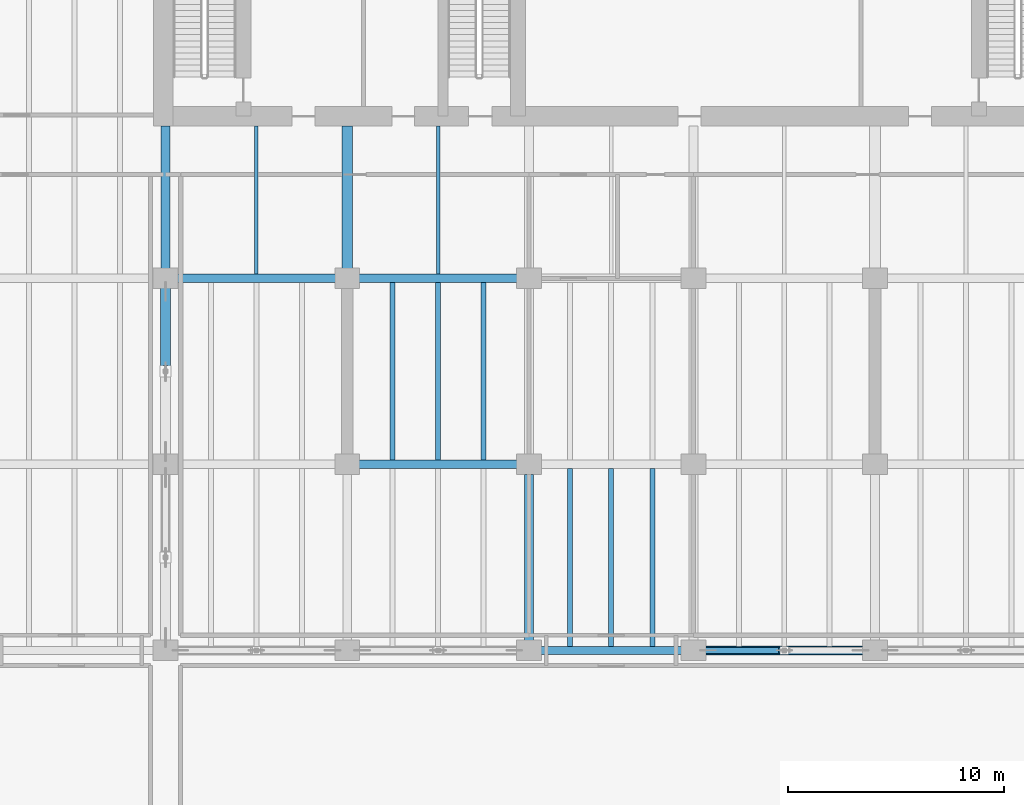
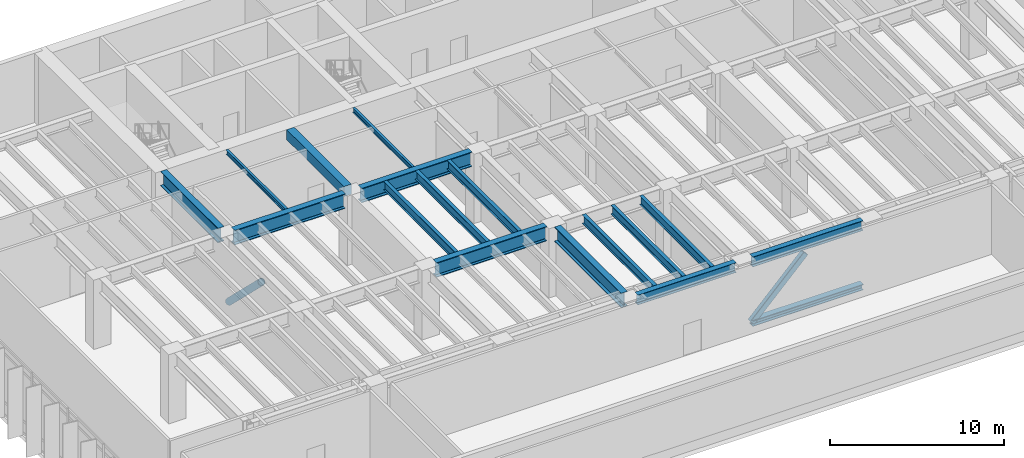
# One storey, part 5 of 21: 17 beams, 2 members.
"""IFC4 building model written with IfcOpenShell, lengths in metres."""

from ifc_helpers import new_model, si_unit, direction, frame, origin, origin_2d, place, context, subcontext, project, spatial, rectangle, hollow_rectangle, hollow_circle, i_section, extrude, material, material_profile, profile_set, type_object, element, save


model = new_model("IFC4")

# Units and contexts
model_context = context("Model", 3, precision=1e-05, world=origin(), true_north=direction((0.0, 1.0)))
body_context = subcontext(model_context, "Body", "Model", "MODEL_VIEW")
ifc_project = project(units=[si_unit("LENGTHUNIT", "METRE"), si_unit("AREAUNIT", "SQUARE_METRE"), si_unit("VOLUMEUNIT", "CUBIC_METRE"), si_unit("PLANEANGLEUNIT", "RADIAN"), si_unit("MASSUNIT", "GRAM", prefix="KILO")], contexts=[model_context])

# Site, building, storey
site_placement = place(None, origin())
site = spatial("IfcSite", under=ifc_project, at=site_placement, CompositionType="ELEMENT")
building_placement = place(site_placement, origin())
building = spatial("IfcBuilding", under=site, at=building_placement, Name="Caelmar Bay Residences", CompositionType="ELEMENT")
storey_placement = place(building_placement, frame((0.0, 0.0, 79.5)))
storey = spatial("IfcBuildingStorey", under=building, at=storey_placement, Name="L21", CompositionType="ELEMENT", Elevation=79.5)

# Beams
ifc_material_1 = material(Name="Steel ASTM A992 Grade 50", Category="steel")
ifc_material_profile_1 = material_profile(ifc_material_1, i_section(OverallWidth=0.40087890625, OverallDepth=0.39892578125, WebThickness=0.02490234375, FlangeThickness=0.03955078125, FilletRadius=0.01513671875, at=origin_2d()), Name="W14X211")
ifc_profile_set_1 = profile_set([ifc_material_profile_1], Name="Steel ASTM A992 Grade 50")
beam_type_1 = type_object("IfcBeamType", Name="BM-CHD-W14X211", PredefinedType="BEAM", material=ifc_profile_set_1)
beam_1_placement = place(storey_placement, frame((43.239990234375, 12.199951171875, 0.199462890625), z_axis=(1.0, 0.0, 0.0), x_axis=(0.0, 1.0, 0.0)))
element("IfcBeam", 1, at=beam_1_placement, inside=storey, type_object=beam_type_1, Name="L21 Belt-Truss Bottom Chord 3", PredefinedType="BEAM", context=body_context, shape_type="SweptSolid", body=[
    extrude(i_section(OverallWidth=0.40087890625, OverallDepth=0.39892578125, WebThickness=0.02490234375, FlangeThickness=0.03955078125, FilletRadius=0.01513671875, at=origin_2d()), origin(), (0.0, 0.0, 1.0), 7.320068359375),
])
ifc_material_profile_2 = material_profile(ifc_material_1, i_section(OverallWidth=0.404052734375, OverallDepth=1.02099609375, WebThickness=0.025390625, FlangeThickness=0.0458984375, FilletRadius=0.02294921875, at=origin_2d()), Name="W40X324")
ifc_profile_set_2 = profile_set([ifc_material_profile_2], Name="Steel ASTM A992 Grade 50")
beam_type_2 = type_object("IfcBeamType", Name="BM-GRD-W40X324", PredefinedType="BEAM", material=ifc_profile_set_2)
beam_2_placement = place(storey_placement, frame((27.239990234375, 20.800048828125, 4.339599609375), z_axis=(1.0, 0.0, 0.0), x_axis=(0.0, 1.0, 0.0)))
element("IfcBeam", 2, at=beam_2_placement, inside=storey, type_object=beam_type_2, Name="L21 East-West Girder Y=20.80 (26.7-35.1)", PredefinedType="BEAM", context=body_context, shape_type="SweptSolid", body=[
    extrude(i_section(OverallWidth=0.404052734375, OverallDepth=1.02099609375, WebThickness=0.025390625, FlangeThickness=0.0458984375, FilletRadius=0.02294921875, at=origin_2d()), origin(), (0.0, 0.0, 1.0), 7.320068359375),
])
beam_3_placement = place(storey_placement, frame((18.840087890625, 29.39990234375, 4.339599609375), z_axis=(1.0, 0.0, 0.0), x_axis=(0.0, 1.0, 0.0)))
element("IfcBeam", 3, at=beam_3_placement, inside=storey, type_object=beam_type_2, Name="L21 East-West Girder Y=29.40 (18.3-26.7)", PredefinedType="BEAM", context=body_context, shape_type="SweptSolid", body=[
    extrude(i_section(OverallWidth=0.404052734375, OverallDepth=1.02099609375, WebThickness=0.025390625, FlangeThickness=0.0458984375, FilletRadius=0.02294921875, at=origin_2d()), origin(), (0.0, 0.0, 1.0), 7.31982421875),
])
beam_4_placement = place(storey_placement, frame((27.239990234375, 29.39990234375, 4.339599609375), z_axis=(1.0, 0.0, 0.0), x_axis=(0.0, 1.0, 0.0)))
element("IfcBeam", 4, at=beam_4_placement, inside=storey, type_object=beam_type_2, Name="L21 East-West Girder Y=29.40 (26.7-35.1)", PredefinedType="BEAM", context=body_context, shape_type="SweptSolid", body=[
    extrude(i_section(OverallWidth=0.404052734375, OverallDepth=1.02099609375, WebThickness=0.025390625, FlangeThickness=0.0458984375, FilletRadius=0.02294921875, at=origin_2d()), origin(), (0.0, 0.0, 1.0), 7.320068359375),
])
beam_5_placement = place(storey_placement, frame((18.300048828125, 29.864990234375, 4.339599609375), z_axis=(0.0, 1.0, 0.0), x_axis=(-1.0, 0.0, 0.0)))
element("IfcBeam", 5, at=beam_5_placement, inside=storey, type_object=beam_type_2, Name="L21 Core Tie Girder X=18.30", PredefinedType="BEAM", context=body_context, shape_type="SweptSolid", body=[
    extrude(i_section(OverallWidth=0.404052734375, OverallDepth=1.02099609375, WebThickness=0.025390625, FlangeThickness=0.0458984375, FilletRadius=0.02294921875, at=origin_2d()), origin(), (0.0, 0.0, 1.0), 6.5849609375),
])
beam_6_placement = place(storey_placement, frame((35.10009765625, 12.6650390625, 4.339599609375), z_axis=(0.0, 1.0, 0.0), x_axis=(-1.0, 0.0, 0.0)))
element("IfcBeam", 6, at=beam_6_placement, inside=storey, type_object=beam_type_2, Name="L21 North-South Girder X=35.10 (12.2-20.8)", PredefinedType="BEAM", context=body_context, shape_type="SweptSolid", body=[
    extrude(i_section(OverallWidth=0.404052734375, OverallDepth=1.02099609375, WebThickness=0.025390625, FlangeThickness=0.0458984375, FilletRadius=0.02294921875, at=origin_2d()), origin(), (0.0, 0.0, 1.0), 7.669921875),
])
ifc_material_profile_3 = material_profile(ifc_material_1, i_section(OverallWidth=0.1650390625, OverallDepth=0.31005859375, WebThickness=0.005859375, FlangeThickness=0.009765625, FilletRadius=0.007568359375, at=origin_2d()), Name="W12X26")
ifc_profile_set_3 = profile_set([ifc_material_profile_3], Name="Steel ASTM A992 Grade 50")
beam_type_3 = type_object("IfcBeamType", Name="BM-JST-W12X26", PredefinedType="JOIST", material=ifc_profile_set_3)
for number, where, z_axis, x_axis, name in (
    (7, (22.5, 29.60205078125, 4.695068359375), (0.0, 1.0, 0.0), (-1.0, 0.0, 0.0), "L21 Core-Band Composite Joist 43"),
    (8, (30.89990234375, 29.60205078125, 4.695068359375), (0.0, 1.0, 0.0), (-1.0, 0.0, 0.0), "L21 Core-Band Composite Joist 44"),
):
    element("IfcBeam", number, at=place(storey_placement, frame(where, z_axis=z_axis, x_axis=x_axis)), inside=storey, type_object=beam_type_3, Name=name, PredefinedType="JOIST", context=body_context, shape_type="SweptSolid", body=[
        extrude(i_section(OverallWidth=0.1650390625, OverallDepth=0.31005859375, WebThickness=0.005859375, FlangeThickness=0.009765625, FilletRadius=0.007568359375, at=origin_2d()), origin(), (0.0, 0.0, 1.0), 6.847900390625),
    ])
ifc_material_profile_4 = material_profile(ifc_material_1, i_section(OverallWidth=0.22900390625, OverallDepth=0.612060546875, WebThickness=0.011962890625, FlangeThickness=0.01953125, FilletRadius=0.0126953125, at=origin_2d()), Name="W24X84")
ifc_profile_set_4 = profile_set([ifc_material_profile_4], Name="Steel ASTM A992 Grade 50")
beam_type_4 = type_object("IfcBeamType", Name="BM-JST-W24X84", PredefinedType="JOIST", material=ifc_profile_set_4)
for number, where, z_axis, x_axis, name in (
    (9, (37.0, 12.3779296875, 4.5439453125), (0.0, 1.0, 0.0), (-1.0, 0.0, 0.0), "L21 Composite Floor Joist 10"),
    (10, (38.89990234375, 12.3779296875, 4.5439453125), (0.0, 1.0, 0.0), (-1.0, 0.0, 0.0), "L21 Composite Floor Joist 11"),
    (11, (40.800048828125, 12.3779296875, 4.5439453125), (0.0, 1.0, 0.0), (-1.0, 0.0, 0.0), "L21 Composite Floor Joist 12"),
):
    element("IfcBeam", number, at=place(storey_placement, frame(where, z_axis=z_axis, x_axis=x_axis)), inside=storey, type_object=beam_type_4, Name=name, PredefinedType="JOIST", context=body_context, shape_type="SweptSolid", body=[
        extrude(i_section(OverallWidth=0.22900390625, OverallDepth=0.612060546875, WebThickness=0.011962890625, FlangeThickness=0.01953125, FilletRadius=0.0126953125, at=origin_2d()), origin(), (0.0, 0.0, 1.0), 8.219970703125),
    ])
for number, where, z_axis, x_axis, name in (
    (12, (28.800048828125, 21.001953125, 4.5439453125), (0.0, 1.0, 0.0), (-1.0, 0.0, 0.0), "L21 Composite Floor Joist 28"),
    (13, (30.89990234375, 21.001953125, 4.5439453125), (0.0, 1.0, 0.0), (-1.0, 0.0, 0.0), "L21 Composite Floor Joist 29"),
    (14, (33.0, 21.001953125, 4.5439453125), (0.0, 1.0, 0.0), (-1.0, 0.0, 0.0), "L21 Composite Floor Joist 30"),
):
    element("IfcBeam", number, at=place(storey_placement, frame(where, z_axis=z_axis, x_axis=x_axis)), inside=storey, type_object=beam_type_4, Name=name, PredefinedType="JOIST", context=body_context, shape_type="SweptSolid", body=[
        extrude(i_section(OverallWidth=0.22900390625, OverallDepth=0.612060546875, WebThickness=0.011962890625, FlangeThickness=0.01953125, FilletRadius=0.0126953125, at=origin_2d()), origin(), (0.0, 0.0, 1.0), 8.196044921875),
    ])
ifc_material_2 = material(Name="Concrete f'c 55 MPa (8,000 psi)", Category="concrete")
ifc_material_profile_5 = material_profile(ifc_material_2, rectangle(XDim=0.5, YDim=0.699951171875, at=origin_2d()), Name="RC-BM-500X700")
ifc_profile_set_5 = profile_set([ifc_material_profile_5], Name="Concrete f'c 55 MPa (8,000 psi)")
beam_type_5 = type_object("IfcBeamType", Name="BM-RC-500X700", PredefinedType="LINTEL", material=ifc_profile_set_5)
beam_7_placement = place(storey_placement, frame((26.699951171875, 29.864990234375, 4.5), z_axis=(0.0, 1.0, 0.0), x_axis=(-1.0, 0.0, 0.0)))
element("IfcBeam", 15, at=beam_7_placement, inside=storey, type_object=beam_type_5, Name="L21 Shear-Wall Corridor Coupling Lintel W5", PredefinedType="LINTEL", context=body_context, shape_type="SweptSolid", body=[
    extrude(rectangle(XDim=0.5, YDim=0.699951171875, at=origin_2d()), origin(), (0.0, 0.0, 1.0), 6.5849609375),
])
ifc_material_profile_6 = material_profile(ifc_material_1, i_section(OverallWidth=0.35595703125, OverallDepth=0.696044921875, WebThickness=0.015380859375, FlangeThickness=0.02490234375, FilletRadius=0.01513671875, at=origin_2d()), Name="W27X146")
ifc_profile_set_6 = profile_set([ifc_material_profile_6], Name="Steel ASTM A992 Grade 50")
beam_type_6 = type_object("IfcBeamType", Name="BM-SPN-W27X146", PredefinedType="SPANDREL", material=ifc_profile_set_6)
beam_8_placement = place(storey_placement, frame((35.639892578125, 12.199951171875, 4.501953125), z_axis=(1.0, 0.0, 0.0), x_axis=(0.0, 1.0, 0.0)))
element("IfcBeam", 16, at=beam_8_placement, inside=storey, type_object=beam_type_6, Name="L21 East-West Girder Y=12.20 (35.1-42.7)", PredefinedType="SPANDREL", context=body_context, shape_type="SweptSolid", body=[
    extrude(i_section(OverallWidth=0.35595703125, OverallDepth=0.696044921875, WebThickness=0.015380859375, FlangeThickness=0.02490234375, FilletRadius=0.01513671875, at=origin_2d()), origin(), (0.0, 0.0, 1.0), 6.52001953125),
])
beam_9_placement = place(storey_placement, frame((43.239990234375, 12.199951171875, 4.501953125), z_axis=(1.0, 0.0, 0.0), x_axis=(0.0, 1.0, 0.0)))
element("IfcBeam", 17, at=beam_9_placement, inside=storey, type_object=beam_type_6, Name="L21 East-West Girder Y=12.20 (42.7-51.1)", PredefinedType="SPANDREL", context=body_context, shape_type="SweptSolid", body=[
    extrude(i_section(OverallWidth=0.35595703125, OverallDepth=0.696044921875, WebThickness=0.015380859375, FlangeThickness=0.02490234375, FilletRadius=0.01513671875, at=origin_2d()), origin(), (0.0, 0.0, 1.0), 7.320068359375),
])

# Members
ifc_material_3 = material(Name="Steel ASTM A500 Grade C", Category="steel")
ifc_material_profile_7 = material_profile(ifc_material_3, hollow_rectangle(XDim=0.304931640625, YDim=0.406005859375, WallThickness=0.017578125, InnerFilletRadius=0.017578125, OuterFilletRadius=0.035400390625, at=origin_2d()), Name="HSS400X300X19.1")
ifc_profile_set_7 = profile_set([ifc_material_profile_7], Name="Steel ASTM A500 Grade C")
member_type_1 = type_object("IfcMemberType", Name="MEM-BRC-HSS400X300", PredefinedType="BRACE", material=ifc_profile_set_7)
member_1_placement = place(storey_placement, frame((43.239990234375, 12.199951171875, 0.219970703125), z_axis=(0.698769347528, 0.0, 0.715347047911), x_axis=(0.0, 1.0, 0.0)))
element("IfcMember", 18, at=member_1_placement, inside=storey, type_object=member_type_1, Name="L21 Belt-Truss Chevron 3A", PredefinedType="BRACE", context=body_context, shape_type="SweptSolid", body=[
    extrude(hollow_rectangle(XDim=0.304931640625, YDim=0.406005859375, WallThickness=0.017578125, InnerFilletRadius=0.017578125, OuterFilletRadius=0.035400390625, at=origin_2d()), origin(), (0.0, 0.0, 1.0), 5.066162109375),
])
ifc_material_4 = material(Name="Steel ASTM A53 Grade B", Category="steel")
ifc_material_profile_8 = material_profile(ifc_material_4, hollow_circle(Radius=0.228515625, WallThickness=0.023681640625, at=origin_2d()), Name="CHS457X25.4")
ifc_profile_set_8 = profile_set([ifc_material_profile_8], Name="Steel ASTM A53 Grade B")
member_type_2 = type_object("IfcMemberType", Name="MEM-OUT-CHS457", PredefinedType="BRACE", material=ifc_profile_set_8)
member_2_placement = place(storey_placement, frame((18.300048828125, 28.93505859375, 0.219970703125), z_axis=(0.0, -0.715825532831, 0.698279175221), x_axis=(1.0, 0.0, 0.0)))
element("IfcMember", 19, at=member_2_placement, inside=storey, type_object=member_type_2, Name="L21 Outrigger Secondary Diagonal 2B", PredefinedType="BRACE", context=body_context, shape_type="SweptSolid", body=[
    extrude(hollow_circle(Radius=0.228515625, WallThickness=0.023681640625, at=origin_2d()), origin(), (0.0, 0.0, 1.0), 5.18994140625),
])

save(model, "model.ifc")
